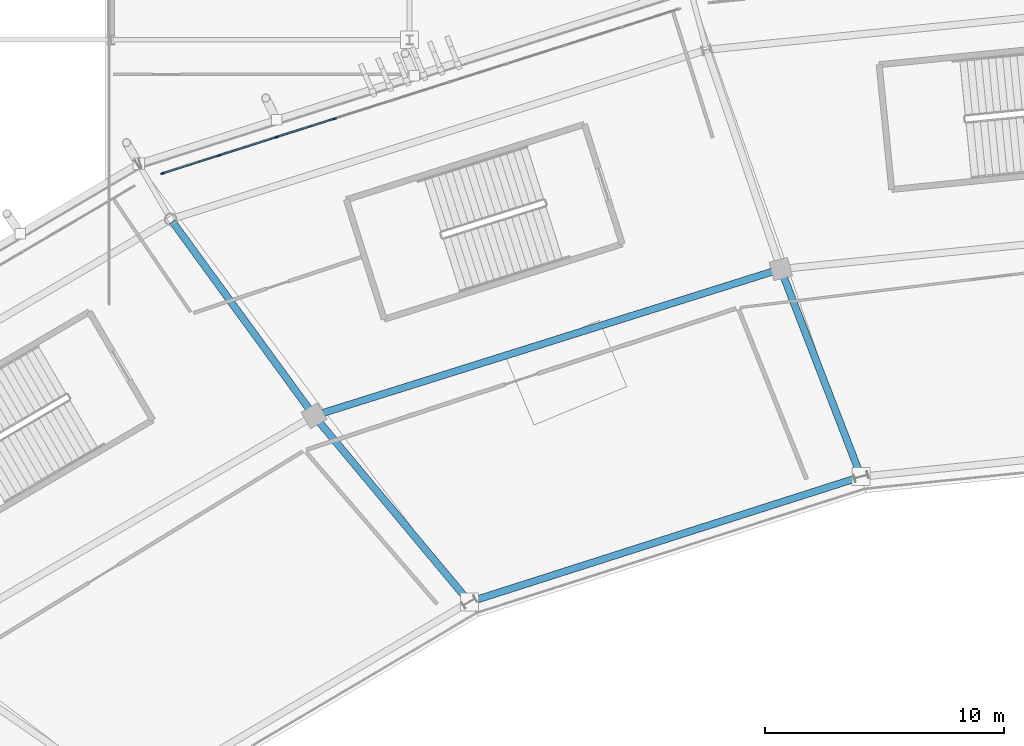
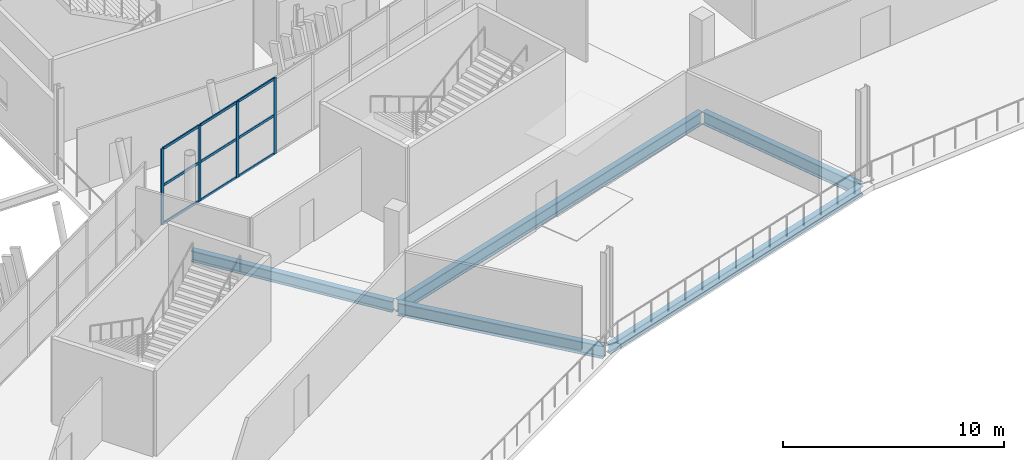
# One storey, part 73 of 179: 13 members, 5 beams, 1 element without a shape of its own.
"""IFC4 building model written with IfcOpenShell, lengths in metres."""

from ifc_helpers import new_model, si_unit, direction, frame, origin, origin_2d, place, context, subcontext, project, spatial, rectangle, i_section, extrude, material, material_profile, profile_set, type_object, element, aggregate, save


model = new_model("IFC4")

# Units and contexts
model_context = context("Model", 3, precision=1e-05, world=origin(), true_north=direction((0.0, 1.0)))
body_context = subcontext(model_context, "Body", "Model", "MODEL_VIEW")
ifc_project = project(units=[si_unit("LENGTHUNIT", "METRE"), si_unit("AREAUNIT", "SQUARE_METRE"), si_unit("VOLUMEUNIT", "CUBIC_METRE"), si_unit("PLANEANGLEUNIT", "RADIAN"), si_unit("MASSUNIT", "GRAM", prefix="KILO")], contexts=[model_context])

# Site, building, storey
site_placement = place(None, origin())
site = spatial("IfcSite", under=ifc_project, at=site_placement, CompositionType="ELEMENT")
building_placement = place(site_placement, origin())
building = spatial("IfcBuilding", under=site, at=building_placement, Name="Zlatoyarsky Gate Stadium", CompositionType="ELEMENT")
storey_placement = place(building_placement, frame((0.0, 0.0, 10.60009765625)))
storey = spatial("IfcBuildingStorey", under=building, at=storey_placement, Name="L02", CompositionType="ELEMENT", Elevation=10.60009765625)

# Curtain wall, members
ifc_material_1 = material(Name="Thermally broken anodised aluminium curtain wall", Category="aluminium")
curtain_wall_type = type_object("IfcCurtainWallType", Name="UNITISED HOSPITALITY GLAZING L02", PredefinedType="USERDEFINED", material=ifc_material_1)
curtain_wall_placement = place(storey_placement, origin())
curtain_wall = element("IfcCurtainWall", 1, at=curtain_wall_placement, inside=storey, type_object=curtain_wall_type, Name="Curtain wall CW-L02-07", ObjectType="UNITISED GLAZING", PredefinedType="USERDEFINED")
ifc_material_2 = material(Name="Anodised aluminium 6063-T6", Category="aluminium")
ifc_material_profile_1 = material_profile(ifc_material_2, rectangle(XDim=0.06494140625, YDim=0.159912109375, at=origin_2d()), Name="ALU 65X160")
ifc_profile_set_1 = profile_set([ifc_material_profile_1], Name="Anodised aluminium 6063-T6")
member_type_1 = type_object("IfcMemberType", Name="ALUMINIUM MULLION 65X160", PredefinedType="MULLION", material=ifc_profile_set_1)
member_1_placement = place(storey_placement, frame((71.35400390625, 145.69482421875, 0.0), z_axis=(0.0, 0.0, 1.0), x_axis=(0.30327935196, -0.952901692031, 0.0)))
member_1 = element("IfcMember", 2, at=member_1_placement, type_object=member_type_1, Name="CW-UG2 mullion 7", PredefinedType="MULLION", context=body_context, shape_type="SweptSolid", body=[
    extrude(rectangle(XDim=0.06494140625, YDim=0.159912109375, at=origin_2d()), origin(), (0.0, 0.0, 1.0), 4.199951171875),
])
member_2_placement = place(storey_placement, frame((68.946533203125, 144.928466796875, 0.0), z_axis=(0.0, 0.0, 1.0), x_axis=(0.30327935196, -0.952901692031, 0.0)))
member_2 = element("IfcMember", 3, at=member_2_placement, type_object=member_type_1, Name="CW-UG2 mullion 8", PredefinedType="MULLION", context=body_context, shape_type="SweptSolid", body=[
    extrude(rectangle(XDim=0.06494140625, YDim=0.159912109375, at=origin_2d()), origin(), (0.0, 0.0, 1.0), 4.199951171875),
])
member_3_placement = place(storey_placement, frame((66.5390625, 144.162353515625, 0.0), z_axis=(0.0, 0.0, 1.0), x_axis=(0.30327935196, -0.952901692031, 0.0)))
member_3 = element("IfcMember", 4, at=member_3_placement, type_object=member_type_1, Name="CW-UG2 mullion 9", PredefinedType="MULLION", context=body_context, shape_type="SweptSolid", body=[
    extrude(rectangle(XDim=0.06494140625, YDim=0.159912109375, at=origin_2d()), origin(), (0.0, 0.0, 1.0), 4.199951171875),
])
member_4_placement = place(storey_placement, frame((64.162353515625, 143.406005859375, 0.0), z_axis=(0.0, 0.0, 1.0), x_axis=(0.30327935196, -0.952901692031, 0.0)))
member_4 = element("IfcMember", 5, at=member_4_placement, type_object=member_type_1, Name="CW-UG2 mullion 10", PredefinedType="MULLION", context=body_context, shape_type="SweptSolid", body=[
    extrude(rectangle(XDim=0.06494140625, YDim=0.159912109375, at=origin_2d()), origin(), (0.0, 0.0, 1.0), 4.199951171875),
])
ifc_material_profile_2 = material_profile(ifc_material_2, rectangle(XDim=0.06494140625, YDim=0.139892578125, at=origin_2d()), Name="ALU 65X140")
ifc_profile_set_2 = profile_set([ifc_material_profile_2], Name="Anodised aluminium 6063-T6")
member_type_2 = type_object("IfcMemberType", Name="ALUMINIUM TRANSOM 65X140", PredefinedType="USERDEFINED", material=ifc_profile_set_2)
member_5_placement = place(storey_placement, frame((71.322998046875, 145.68505859375, 0.032470703125), z_axis=(-0.952890602186, -0.303314193972, 0.0), x_axis=(0.303314193972, -0.952890602186, 0.0)))
member_5 = element("IfcMember", 6, at=member_5_placement, type_object=member_type_2, Name="CW-UG2 transom 7.1", ObjectType="TRANSOM", PredefinedType="USERDEFINED", context=body_context, shape_type="SweptSolid", body=[
    extrude(rectangle(XDim=0.06494140625, YDim=0.139892578125, at=origin_2d()), origin(), (0.0, 0.0, 1.0), 2.46142578125),
])
member_6_placement = place(storey_placement, frame((71.322998046875, 145.68505859375, 2.14990234375), z_axis=(-0.952890602186, -0.303314193972, 0.0), x_axis=(0.303314193972, -0.952890602186, 0.0)))
member_6 = element("IfcMember", 7, at=member_6_placement, type_object=member_type_2, Name="CW-UG2 transom 7.2", ObjectType="TRANSOM", PredefinedType="USERDEFINED", context=body_context, shape_type="SweptSolid", body=[
    extrude(rectangle(XDim=0.06494140625, YDim=0.139892578125, at=origin_2d()), origin(), (0.0, 0.0, 1.0), 2.46142578125),
])
member_7_placement = place(storey_placement, frame((71.322998046875, 145.68505859375, 4.16748046875), z_axis=(-0.952890602186, -0.303314193972, 0.0), x_axis=(0.303314193972, -0.952890602186, 0.0)))
member_7 = element("IfcMember", 8, at=member_7_placement, type_object=member_type_2, Name="CW-UG2 transom 7.3", ObjectType="TRANSOM", PredefinedType="USERDEFINED", context=body_context, shape_type="SweptSolid", body=[
    extrude(rectangle(XDim=0.06494140625, YDim=0.139892578125, at=origin_2d()), origin(), (0.0, 0.0, 1.0), 2.46142578125),
])
member_8_placement = place(storey_placement, frame((68.91552734375, 144.918701171875, 0.032470703125), z_axis=(-0.952890602186, -0.303314193972, 0.0), x_axis=(0.303314193972, -0.952890602186, 0.0)))
member_8 = element("IfcMember", 9, at=member_8_placement, type_object=member_type_2, Name="CW-UG2 transom 8.1", ObjectType="TRANSOM", PredefinedType="USERDEFINED", context=body_context, shape_type="SweptSolid", body=[
    extrude(rectangle(XDim=0.06494140625, YDim=0.139892578125, at=origin_2d()), origin(), (0.0, 0.0, 1.0), 2.46142578125),
])
member_9_placement = place(storey_placement, frame((68.91552734375, 144.918701171875, 2.14990234375), z_axis=(-0.952890602186, -0.303314193972, 0.0), x_axis=(0.303314193972, -0.952890602186, 0.0)))
member_9 = element("IfcMember", 10, at=member_9_placement, type_object=member_type_2, Name="CW-UG2 transom 8.2", ObjectType="TRANSOM", PredefinedType="USERDEFINED", context=body_context, shape_type="SweptSolid", body=[
    extrude(rectangle(XDim=0.06494140625, YDim=0.139892578125, at=origin_2d()), origin(), (0.0, 0.0, 1.0), 2.46142578125),
])
member_10_placement = place(storey_placement, frame((68.91552734375, 144.918701171875, 4.16748046875), z_axis=(-0.952890602186, -0.303314193972, 0.0), x_axis=(0.303314193972, -0.952890602186, 0.0)))
member_10 = element("IfcMember", 11, at=member_10_placement, type_object=member_type_2, Name="CW-UG2 transom 8.3", ObjectType="TRANSOM", PredefinedType="USERDEFINED", context=body_context, shape_type="SweptSolid", body=[
    extrude(rectangle(XDim=0.06494140625, YDim=0.139892578125, at=origin_2d()), origin(), (0.0, 0.0, 1.0), 2.46142578125),
])
member_11_placement = place(storey_placement, frame((66.508056640625, 144.152587890625, 0.032470703125), z_axis=(-0.952887493796, -0.303323959105, 0.0), x_axis=(0.303323959105, -0.952887493796, 0.0)))
member_11 = element("IfcMember", 12, at=member_11_placement, type_object=member_type_2, Name="CW-UG2 transom 9.1", ObjectType="TRANSOM", PredefinedType="USERDEFINED", context=body_context, shape_type="SweptSolid", body=[
    extrude(rectangle(XDim=0.06494140625, YDim=0.139892578125, at=origin_2d()), origin(), (0.0, 0.0, 1.0), 2.42919921875),
])
member_12_placement = place(storey_placement, frame((66.508056640625, 144.152587890625, 2.14990234375), z_axis=(-0.952887493796, -0.303323959105, 0.0), x_axis=(0.303323959105, -0.952887493796, 0.0)))
member_12 = element("IfcMember", 13, at=member_12_placement, type_object=member_type_2, Name="CW-UG2 transom 9.2", ObjectType="TRANSOM", PredefinedType="USERDEFINED", context=body_context, shape_type="SweptSolid", body=[
    extrude(rectangle(XDim=0.06494140625, YDim=0.139892578125, at=origin_2d()), origin(), (0.0, 0.0, 1.0), 2.42919921875),
])
member_13_placement = place(storey_placement, frame((66.508056640625, 144.152587890625, 4.16748046875), z_axis=(-0.952887493796, -0.303323959105, 0.0), x_axis=(0.303323959105, -0.952887493796, 0.0)))
member_13 = element("IfcMember", 14, at=member_13_placement, type_object=member_type_2, Name="CW-UG2 transom 9.3", ObjectType="TRANSOM", PredefinedType="USERDEFINED", context=body_context, shape_type="SweptSolid", body=[
    extrude(rectangle(XDim=0.06494140625, YDim=0.139892578125, at=origin_2d()), origin(), (0.0, 0.0, 1.0), 2.42919921875),
])
aggregate(curtain_wall, [member_1, member_2, member_3, member_4, member_5, member_6, member_7, member_8, member_9, member_10, member_11, member_12, member_13])

# Beams
ifc_material_3 = material(Name="Steel S355", Category="steel")
ifc_material_profile_3 = material_profile(ifc_material_3, i_section(OverallWidth=0.300048828125, OverallDepth=0.5, WebThickness=0.014404296875, FlangeThickness=0.028076171875, FilletRadius=0.027099609375, at=origin_2d()), Name="HEB 500")
ifc_profile_set_3 = profile_set([ifc_material_profile_3], Name="Steel S355")
beam_type_1 = type_object("IfcBeamType", Name="STEEL PRIMARY GIRDER HEB 500", PredefinedType="BEAM", material=ifc_profile_set_3)
beam_1_placement = place(storey_placement, frame((93.285888671875, 130.674560546875, -0.530029296875), z_axis=(-0.952480396568, -0.304599891914, 0.0), x_axis=(0.304599891914, -0.952480396568, 0.0)))
element("IfcBeam", 15, at=beam_1_placement, inside=storey, type_object=beam_type_1, Name="Beam G-HEB500 BM-L02-CRA-07", PredefinedType="BEAM", context=body_context, shape_type="SweptSolid", body=[
    extrude(i_section(OverallWidth=0.300048828125, OverallDepth=0.5, WebThickness=0.014404296875, FlangeThickness=0.028076171875, FilletRadius=0.027099609375, at=origin_2d()), origin(), (0.0, 0.0, 1.0), 16.978515625),
])
ifc_material_profile_4 = material_profile(ifc_material_3, i_section(OverallWidth=0.300048828125, OverallDepth=0.60009765625, WebThickness=0.015380859375, FlangeThickness=0.030029296875, FilletRadius=0.027099609375, at=origin_2d()), Name="HEB 600")
ifc_profile_set_4 = profile_set([ifc_material_profile_4], Name="Steel S355")
beam_type_2 = type_object("IfcBeamType", Name="STEEL PRIMARY GIRDER HEB 600", PredefinedType="BEAM", material=ifc_profile_set_4)
beam_2_placement = place(storey_placement, frame((70.42919921875, 133.357666015625, -0.580078125), z_axis=(-0.589228266457, 0.807966614415, 0.0), x_axis=(-0.807966614415, -0.589228266457, 0.0)))
element("IfcBeam", 16, at=beam_2_placement, inside=storey, type_object=beam_type_2, Name="Beam G-HEB600 BM-L02-RBC-08", PredefinedType="BEAM", context=body_context, shape_type="SweptSolid", body=[
    extrude(i_section(OverallWidth=0.300048828125, OverallDepth=0.60009765625, WebThickness=0.015380859375, FlangeThickness=0.030029296875, FilletRadius=0.027099609375, at=origin_2d()), origin(), (0.0, 0.0, 1.0), 9.9423828125),
])
ifc_material_profile_5 = material_profile(ifc_material_3, i_section(OverallWidth=0.300048828125, OverallDepth=0.699951171875, WebThickness=0.01708984375, FlangeThickness=0.031982421875, FilletRadius=0.027099609375, at=origin_2d()), Name="HEB 700")
ifc_profile_set_5 = profile_set([ifc_material_profile_5], Name="Steel S355")
beam_type_3 = type_object("IfcBeamType", Name="STEEL PRIMARY GIRDER HEB 700", PredefinedType="BEAM", material=ifc_profile_set_5)
beam_3_placement = place(storey_placement, frame((93.35693359375, 130.822998046875, -0.630126953125), z_axis=(-0.36092924223, 0.932593202904, 0.0), x_axis=(-0.932593202904, -0.36092924223, 0.0)))
element("IfcBeam", 17, at=beam_3_placement, inside=storey, type_object=beam_type_3, Name="Beam G-HEB700 BM-L02-RAB-07", PredefinedType="BEAM", context=body_context, shape_type="SweptSolid", body=[
    extrude(i_section(OverallWidth=0.300048828125, OverallDepth=0.699951171875, WebThickness=0.01708984375, FlangeThickness=0.031982421875, FilletRadius=0.027099609375, at=origin_2d()), origin(), (0.0, 0.0, 1.0), 9.08154296875),
])
beam_4_placement = place(storey_placement, frame((89.921142578125, 139.368408203125, -0.630126953125), z_axis=(-0.953937507984, -0.300005384719, 0.0), x_axis=(0.300005384719, -0.953937507984, 0.0)))
element("IfcBeam", 18, at=beam_4_placement, inside=storey, type_object=beam_type_3, Name="Beam G-HEB700 BM-L02-CRB-07", PredefinedType="BEAM", context=body_context, shape_type="SweptSolid", body=[
    extrude(i_section(OverallWidth=0.300048828125, OverallDepth=0.699951171875, WebThickness=0.01708984375, FlangeThickness=0.031982421875, FilletRadius=0.027099609375, at=origin_2d()), origin(), (0.0, 0.0, 1.0), 20.239013671875),
])
beam_5_placement = place(storey_placement, frame((76.923095703125, 125.55859375, -0.630126953125), z_axis=(-0.640460635814, 0.767990998627, 0.0), x_axis=(-0.767990998627, -0.640460635814, 0.0)))
element("IfcBeam", 19, at=beam_5_placement, inside=storey, type_object=beam_type_3, Name="Beam G-HEB700 BM-L02-RAB-08", PredefinedType="BEAM", context=body_context, shape_type="SweptSolid", body=[
    extrude(i_section(OverallWidth=0.300048828125, OverallDepth=0.699951171875, WebThickness=0.01708984375, FlangeThickness=0.031982421875, FilletRadius=0.027099609375, at=origin_2d()), origin(), (0.0, 0.0, 1.0), 9.90869140625),
])

save(model, "model.ifc")
